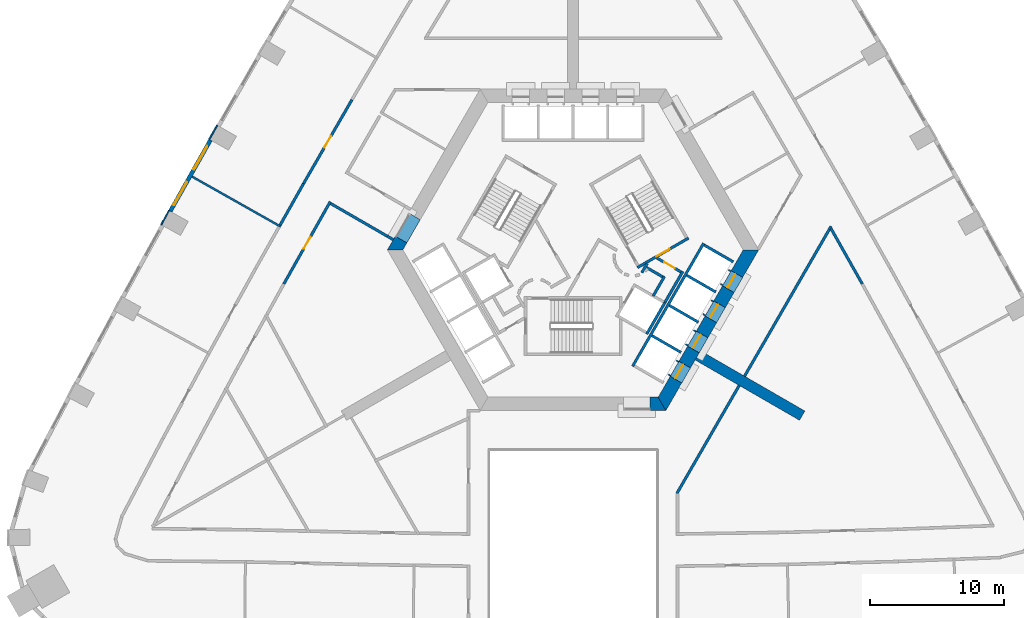
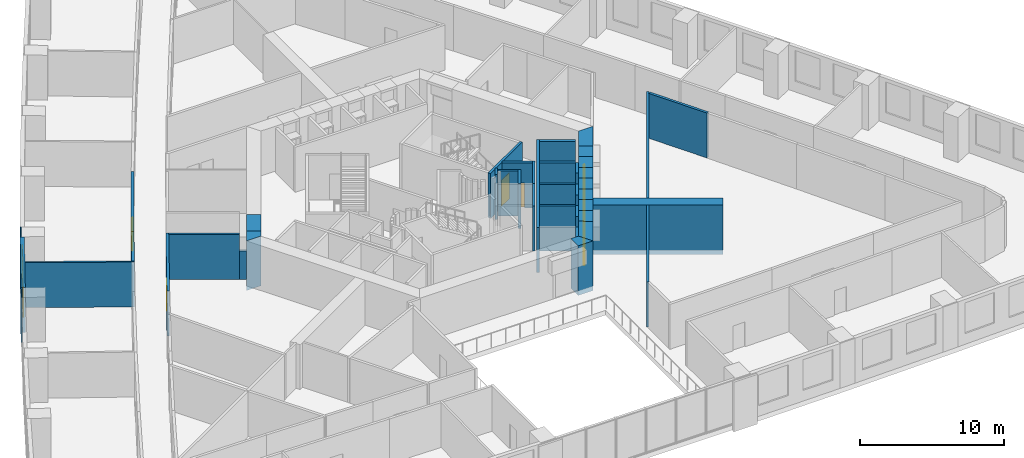
# One storey, part 7 of 13: 41 walls, 8 doors, 2 windows, 10 openings.
"""IFC4 building model written with IfcOpenShell, lengths in metres."""

from ifc_helpers import new_model, si_unit, direction, frame, frame_2d, origin, place, context, subcontext, project, spatial, polyline, rectangle, outline, extrude, material, layer, layer_set, type_object, element, fill, save


model = new_model("IFC4")

# Units and contexts
model_context = context("Model", 3, precision=1e-05, world=origin(), true_north=direction((0.0, 1.0)))
body_context = subcontext(model_context, "Body", "Model", "MODEL_VIEW")
ifc_project = project(units=[si_unit("LENGTHUNIT", "METRE"), si_unit("AREAUNIT", "SQUARE_METRE"), si_unit("VOLUMEUNIT", "CUBIC_METRE"), si_unit("PLANEANGLEUNIT", "RADIAN"), si_unit("MASSUNIT", "GRAM", prefix="KILO")], contexts=[model_context])

# Site, building, storey
site_placement = place(None, origin())
site = spatial("IfcSite", under=ifc_project, at=site_placement, CompositionType="ELEMENT")
building_placement = place(site_placement, origin())
building = spatial("IfcBuilding", under=site, at=building_placement, Name="Entoto Arch Interchange Tower", CompositionType="ELEMENT")
storey_placement = place(building_placement, frame((0.0, 0.0, 51.800048828125)))
storey = spatial("IfcBuildingStorey", under=building, at=storey_placement, Name="L10", CompositionType="ELEMENT", Elevation=51.800048828125)

# Walls
ifc_material_1 = material(Name="Concrete C60/75", Category="concrete")
ifc_layer_1 = layer(ifc_material_1, 0.800048828125)
ifc_layer_set_1 = layer_set([ifc_layer_1], Name="Concrete C60/75")
wall_type_1 = type_object("IfcWallType", Name="Buttress wall 800 C60/75", PredefinedType="SHEAR", material=ifc_layer_set_1)
wall_1_placement = place(storey_placement, frame((9.31005859375, -5.375, -0.400146484375), z_axis=(0.0, 0.0, 1.0), x_axis=(0.866017533419, -0.500013631625, 0.0)))
element("IfcWall", 1, at=wall_1_placement, inside=storey, type_object=wall_type_1, Name="Buttress wall SE L10", PredefinedType="SHEAR", context=body_context, shape_type="SweptSolid", body=[
    extrude(rectangle(XDim=8.999755859375, YDim=0.800048828125, at=frame_2d((4.5, 0.0))), origin(), (0.0, 0.0, 1.0), 4.2001953125),
])
ifc_layer_2 = layer(ifc_material_1, 1.0)
ifc_layer_set_2 = layer_set([ifc_layer_2], Name="Concrete C60/75")
wall_type_2 = type_object("IfcWallType", Name="Core wall 1000 C60/75", PredefinedType="SHEAR", material=ifc_layer_set_2)
wall_2_placement = place(storey_placement, frame((0.0, 0.0, -0.400146484375)))
element("IfcWall", 2, at=wall_2_placement, inside=storey, type_object=wall_type_2, Name="Core wall NW L10", PredefinedType="SHEAR", context=body_context, shape_type="SweptSolid", body=[
    extrude(outline(polyline([(-12.402099609375, 3.02001953125), (-13.26708984375, 3.52001953125), (-13.85595703125, 2.5), (-12.701904296875, 2.5), (-12.402099609375, 3.02001953125)])), origin(), (0.0, 0.0, 1.0), 4.2001953125),
])
wall_3_placement = place(storey_placement, frame((0.0, 0.0, 3.599853515625)))
element("IfcWall", 3, at=wall_3_placement, inside=storey, type_object=wall_type_2, Name="Core wall lintel NW L10", PredefinedType="SHEAR", context=body_context, shape_type="SweptSolid", body=[
    extrude(outline(polyline([(-13.26708984375, 3.52001953125), (-12.402099609375, 3.02001953125), (-11.402099609375, 4.751953125), (-12.26708984375, 5.251953125), (-13.26708984375, 3.52001953125)])), origin(), (0.0, 0.0, 1.0), 0.2001953125),
])
wall_4_placement = place(storey_placement, frame((0.0, 0.0, -0.400146484375)))
element("IfcWall", 4, at=wall_4_placement, inside=storey, type_object=wall_type_2, Name="Core wall S L10", PredefinedType="SHEAR", context=body_context, shape_type="SweptSolid", body=[
    extrude(outline(polyline([(5.75, -8.5), (5.75, -9.5), (6.927978515625, -9.5), (6.35107421875, -8.5), (5.75, -8.5)])), origin(), (0.0, 0.0, 1.0), 4.2001953125),
])
wall_5_placement = place(storey_placement, frame((0.0, 0.0, -0.400146484375)))
element("IfcWall", 5, at=wall_5_placement, inside=storey, type_object=wall_type_2, Name="Core wall SE L10", PredefinedType="SHEAR", context=body_context, shape_type="SweptSolid", body=[
    extrude(outline(polyline([(8.116943359375, -7.43994140625), (7.251953125, -6.93994140625), (6.35107421875, -8.5), (6.927978515625, -9.5), (8.116943359375, -7.43994140625)])), origin(), (0.0, 0.0, 1.0), 4.2001953125),
])
wall_6_placement = place(storey_placement, frame((0.0, 0.0, -0.400146484375)))
element("IfcWall", 6, at=wall_6_placement, inside=storey, type_object=wall_type_2, Name="Core wall SE L10", PredefinedType="SHEAR", context=body_context, shape_type="SweptSolid", body=[
    extrude(outline(polyline([(9.4169921875, -5.18896484375), (8.551025390625, -4.68896484375), (7.902099609375, -5.81396484375), (8.76708984375, -6.31396484375), (9.4169921875, -5.18896484375)])), origin(), (0.0, 0.0, 1.0), 4.2001953125),
])
wall_7_placement = place(storey_placement, frame((0.0, 0.0, -0.400146484375)))
element("IfcWall", 7, at=wall_7_placement, inside=storey, type_object=wall_type_2, Name="Core wall SE L10", PredefinedType="SHEAR", context=body_context, shape_type="SweptSolid", body=[
    extrude(outline(polyline([(10.717041015625, -2.93701171875), (9.85107421875, -2.43701171875), (9.200927734375, -3.56298828125), (10.06689453125, -4.06298828125), (10.717041015625, -2.93701171875)])), origin(), (0.0, 0.0, 1.0), 4.2001953125),
])
wall_8_placement = place(storey_placement, frame((0.0, 0.0, -0.400146484375)))
element("IfcWall", 8, at=wall_8_placement, inside=storey, type_object=wall_type_2, Name="Core wall SE L10", PredefinedType="SHEAR", context=body_context, shape_type="SweptSolid", body=[
    extrude(outline(polyline([(12.01708984375, -0.68603515625), (11.15087890625, -0.18603515625), (10.5009765625, -1.31103515625), (11.366943359375, -1.81103515625), (12.01708984375, -0.68603515625)])), origin(), (0.0, 0.0, 1.0), 4.2001953125),
])
wall_9_placement = place(storey_placement, frame((0.0, 0.0, -0.400146484375)))
element("IfcWall", 9, at=wall_9_placement, inside=storey, type_object=wall_type_2, Name="Core wall SE L10", PredefinedType="SHEAR", context=body_context, shape_type="SweptSolid", body=[
    extrude(outline(polyline([(11.801025390625, 0.93994140625), (12.6669921875, 0.43994140625), (13.85595703125, 2.5), (12.701904296875, 2.5), (11.801025390625, 0.93994140625)])), origin(), (0.0, 0.0, 1.0), 4.2001953125),
])
wall_10_placement = place(storey_placement, frame((0.0, 0.0, 3.599853515625)))
element("IfcWall", 10, at=wall_10_placement, inside=storey, type_object=wall_type_2, Name="Core wall lintel SE L10", PredefinedType="SHEAR", context=body_context, shape_type="SweptSolid", body=[
    extrude(outline(polyline([(8.76708984375, -6.31396484375), (7.902099609375, -5.81396484375), (7.251953125, -6.93994140625), (8.116943359375, -7.43994140625), (8.76708984375, -6.31396484375)])), origin(), (0.0, 0.0, 1.0), 0.2001953125),
])
wall_11_placement = place(storey_placement, frame((0.0, 0.0, 3.599853515625)))
element("IfcWall", 11, at=wall_11_placement, inside=storey, type_object=wall_type_2, Name="Core wall lintel SE L10", PredefinedType="SHEAR", context=body_context, shape_type="SweptSolid", body=[
    extrude(outline(polyline([(10.06689453125, -4.06298828125), (9.200927734375, -3.56298828125), (8.551025390625, -4.68896484375), (9.4169921875, -5.18896484375), (10.06689453125, -4.06298828125)])), origin(), (0.0, 0.0, 1.0), 0.2001953125),
])
wall_12_placement = place(storey_placement, frame((0.0, 0.0, 3.599853515625)))
element("IfcWall", 12, at=wall_12_placement, inside=storey, type_object=wall_type_2, Name="Core wall lintel SE L10", PredefinedType="SHEAR", context=body_context, shape_type="SweptSolid", body=[
    extrude(outline(polyline([(11.366943359375, -1.81103515625), (10.5009765625, -1.31103515625), (9.85107421875, -2.43701171875), (10.717041015625, -2.93701171875), (11.366943359375, -1.81103515625)])), origin(), (0.0, 0.0, 1.0), 0.2001953125),
])
wall_13_placement = place(storey_placement, frame((0.0, 0.0, 3.599853515625)))
element("IfcWall", 13, at=wall_13_placement, inside=storey, type_object=wall_type_2, Name="Core wall lintel SE L10", PredefinedType="SHEAR", context=body_context, shape_type="SweptSolid", body=[
    extrude(outline(polyline([(12.6669921875, 0.43994140625), (11.801025390625, 0.93994140625), (11.15087890625, -0.18603515625), (12.01708984375, -0.68603515625), (12.6669921875, 0.43994140625)])), origin(), (0.0, 0.0, 1.0), 0.2001953125),
])

# Wall, opening, door
ifc_material_2 = material(Name="Concrete C40/50", Category="concrete")
ifc_layer_3 = layer(ifc_material_2, 1.199951171875)
ifc_layer_set_3 = layer_set([ifc_layer_3], Name="Concrete C40/50")
wall_type_3 = type_object("IfcWallType", Name="LIFT LANDING INFILL WALL", PredefinedType="STANDARD", material=ifc_layer_set_3)
wall_14_placement = place(storey_placement, frame((7.597900390625, -7.139892578125, 0.0), z_axis=(0.0, 0.0, 1.0), x_axis=(0.500362116554, 0.865816234728, 0.0)))
wall_14 = element("IfcWall", 14, at=wall_14_placement, inside=storey, type_object=wall_type_3, Name="Lift landing infill wall LR5 L10", PredefinedType="STANDARD", context=body_context, shape_type="SweptSolid", body=[
    extrude(rectangle(XDim=1.29931640625, YDim=1.199951171875, at=frame_2d((0.649658203125, 0.0))), origin(), (0.0, 0.0, 1.0), 2.39990234375),
])
opening_1_placement = place(wall_14_placement, frame((0.10009765625, 0.0, 0.0)))
opening_1 = element("IfcOpeningElement", 15, at=opening_1_placement, cuts=wall_14, Name="Opening LD-LR5-L10", PredefinedType="OPENING", context=body_context, shape_type="SweptSolid", body=[
    extrude(rectangle(XDim=1.10009765625, YDim=2.300048828125, at=frame_2d((0.550048828125, 1.14990234375))), frame((0.0, 0.60986328125, 0.0), z_axis=(0.0, -1.0, 0.0), x_axis=(1.0, 0.0, 0.0)), (0.0, 0.0, 1.0), 1.219970703125),
])
ifc_material_3 = material(Name="Stainless steel 1.4301 panels", Category="steel")
door_type_1 = type_object("IfcDoorType", Name="LIFT LANDING DOOR LD2 1100x2300", OperationType="SLIDING_TO_LEFT", PredefinedType="DOOR", material=ifc_material_3)
door_1_placement = place(opening_1_placement, origin())
door_1 = element("IfcDoor", 16, at=door_1_placement, inside=storey, type_object=door_type_1, Name="Lift landing door LR5 L10", OperationType="SLIDING_TO_LEFT", OverallHeight=2.300048828125, OverallWidth=1.10009765625, PredefinedType="DOOR", context=body_context, shape_type="SweptSolid", body=[
    extrude(rectangle(XDim=1.10009765625, YDim=2.300048828125, at=frame_2d((0.550048828125, 1.14990234375))), frame((0.0, 0.02490234375, 0.0), z_axis=(0.0, -1.0, 0.0), x_axis=(1.0, 0.0, 0.0)), (0.0, 0.0, 1.0), 0.050048828125),
])
fill(opening_1, door_1)

wall_15_placement = place(storey_placement, frame((8.89794921875, -4.888916015625, 0.0), z_axis=(0.0, 0.0, 1.0), x_axis=(0.500036693733, 0.866004217611, 0.0)))
wall_15 = element("IfcWall", 17, at=wall_15_placement, inside=storey, type_object=wall_type_3, Name="Lift landing infill wall LR6 L10", PredefinedType="STANDARD", context=body_context, shape_type="SweptSolid", body=[
    extrude(rectangle(XDim=1.30029296875, YDim=1.199951171875, at=frame_2d((0.650146484375, 0.0))), origin(), (0.0, 0.0, 1.0), 2.39990234375),
])
opening_2_placement = place(wall_15_placement, frame((0.10009765625, 0.0, 0.0)))
opening_2 = element("IfcOpeningElement", 18, at=opening_2_placement, cuts=wall_15, Name="Opening LD-LR6-L10", PredefinedType="OPENING", context=body_context, shape_type="SweptSolid", body=[
    extrude(rectangle(XDim=1.10009765625, YDim=2.300048828125, at=frame_2d((0.550048828125, 1.14990234375))), frame((0.0, 0.60986328125, 0.0), z_axis=(0.0, -1.0, 0.0), x_axis=(1.0, 0.0, 0.0)), (0.0, 0.0, 1.0), 1.219970703125),
])
door_2_placement = place(opening_2_placement, origin())
door_2 = element("IfcDoor", 19, at=door_2_placement, inside=storey, type_object=door_type_1, Name="Lift landing door LR6 L10", OperationType="SLIDING_TO_LEFT", OverallHeight=2.300048828125, OverallWidth=1.10009765625, PredefinedType="DOOR", context=body_context, shape_type="SweptSolid", body=[
    extrude(rectangle(XDim=1.10009765625, YDim=2.300048828125, at=frame_2d((0.550048828125, 1.14990234375))), frame((0.0, 0.02490234375, 0.0), z_axis=(0.0, -1.0, 0.0), x_axis=(1.0, 0.0, 0.0)), (0.0, 0.0, 1.0), 0.050048828125),
])
fill(opening_2, door_2)

wall_16_placement = place(storey_placement, frame((10.197998046875, -2.636962890625, 0.0), z_axis=(0.0, 0.0, 1.0), x_axis=(0.49989585183, 0.866085525409, 0.0)))
wall_16 = element("IfcWall", 20, at=wall_16_placement, inside=storey, type_object=wall_type_3, Name="Lift landing infill wall LR7 L10", PredefinedType="STANDARD", context=body_context, shape_type="SweptSolid", body=[
    extrude(rectangle(XDim=1.300048828125, YDim=1.199951171875, at=frame_2d((0.64990234375, 0.0))), origin(), (0.0, 0.0, 1.0), 2.39990234375),
])
opening_3_placement = place(wall_16_placement, frame((0.10009765625, 0.0, 0.0)))
opening_3 = element("IfcOpeningElement", 21, at=opening_3_placement, cuts=wall_16, Name="Opening LD-LR7-L10", PredefinedType="OPENING", context=body_context, shape_type="SweptSolid", body=[
    extrude(rectangle(XDim=1.10009765625, YDim=2.300048828125, at=frame_2d((0.550048828125, 1.14990234375))), frame((0.0, 0.60986328125, 0.0), z_axis=(0.0, -1.0, 0.0), x_axis=(1.0, 0.0, 0.0)), (0.0, 0.0, 1.0), 1.219970703125),
])
door_3_placement = place(opening_3_placement, origin())
door_3 = element("IfcDoor", 22, at=door_3_placement, inside=storey, type_object=door_type_1, Name="Lift landing door LR7 L10", OperationType="SLIDING_TO_LEFT", OverallHeight=2.300048828125, OverallWidth=1.10009765625, PredefinedType="DOOR", context=body_context, shape_type="SweptSolid", body=[
    extrude(rectangle(XDim=1.10009765625, YDim=2.300048828125, at=frame_2d((0.550048828125, 1.14990234375))), frame((0.0, 0.02490234375, 0.0), z_axis=(0.0, -1.0, 0.0), x_axis=(1.0, 0.0, 0.0)), (0.0, 0.0, 1.0), 0.050048828125),
])
fill(opening_3, door_3)

wall_17_placement = place(storey_placement, frame((11.498046875, -0.385009765625, 0.0), z_axis=(0.0, 0.0, 1.0), x_axis=(0.500221244143, 0.865897630733, 0.0)))
wall_17 = element("IfcWall", 23, at=wall_17_placement, inside=storey, type_object=wall_type_3, Name="Lift landing infill wall LR8 L10", PredefinedType="STANDARD", context=body_context, shape_type="SweptSolid", body=[
    extrude(rectangle(XDim=1.29931640625, YDim=1.199951171875, at=frame_2d((0.649658203125, 0.0))), origin(), (0.0, 0.0, 1.0), 2.39990234375),
])
opening_4_placement = place(wall_17_placement, frame((0.10009765625, 0.0, 0.0)))
opening_4 = element("IfcOpeningElement", 24, at=opening_4_placement, cuts=wall_17, Name="Opening LD-LR8-L10", PredefinedType="OPENING", context=body_context, shape_type="SweptSolid", body=[
    extrude(rectangle(XDim=1.10009765625, YDim=2.300048828125, at=frame_2d((0.550048828125, 1.14990234375))), frame((0.0, 0.60986328125, 0.0), z_axis=(0.0, -1.0, 0.0), x_axis=(1.0, 0.0, 0.0)), (0.0, 0.0, 1.0), 1.219970703125),
])
door_4_placement = place(opening_4_placement, origin())
door_4 = element("IfcDoor", 25, at=door_4_placement, inside=storey, type_object=door_type_1, Name="Lift landing door LR8 L10", OperationType="SLIDING_TO_LEFT", OverallHeight=2.300048828125, OverallWidth=1.10009765625, PredefinedType="DOOR", context=body_context, shape_type="SweptSolid", body=[
    extrude(rectangle(XDim=1.10009765625, YDim=2.300048828125, at=frame_2d((0.550048828125, 1.14990234375))), frame((0.0, 0.02490234375, 0.0), z_axis=(0.0, -1.0, 0.0), x_axis=(1.0, 0.0, 0.0)), (0.0, 0.0, 1.0), 0.050048828125),
])
fill(opening_4, door_4)

# Walls
ifc_layer_4 = layer(ifc_material_2, 0.199951171875)
ifc_layer_set_4 = layer_set([ifc_layer_4], Name="Concrete C40/50")
wall_type_4 = type_object("IfcWallType", Name="LIFT SHAFT WALL 200", PredefinedType="STANDARD", material=ifc_layer_set_4)
wall_18_placement = place(storey_placement, frame((5.491943359375, -3.7880859375, 0.0), z_axis=(0.0, 0.0, 1.0), x_axis=(0.500011755427, 0.866018616679, 0.0)))
element("IfcWall", 26, at=wall_18_placement, inside=storey, type_object=wall_type_4, Name="Shaft wall SE1 back", PredefinedType="STANDARD", context=body_context, shape_type="SweptSolid", body=[
    extrude(rectangle(XDim=2.80029296875, YDim=0.199951171875, at=frame_2d((1.400146484375, 0.0))), origin(), (0.0, 0.0, 1.0), 3.800048828125),
])
wall_19_placement = place(storey_placement, frame((4.450927734375, -6.18994140625, 0.0), z_axis=(0.0, 0.0, 1.0), x_axis=(0.50000090737, 0.866024879913, 0.0)))
element("IfcWall", 27, at=wall_19_placement, inside=storey, type_object=wall_type_4, Name="Shaft wall SE3 front", PredefinedType="STANDARD", context=body_context, shape_type="SweptSolid", body=[
    extrude(rectangle(XDim=10.60009765625, YDim=0.199951171875, at=frame_2d((5.300048828125, 0.0))), origin(), (0.0, 0.0, 1.0), 3.800048828125),
])
for number, where, z_axis, x_axis, name in (
    (28, (5.887939453125, -3.902099609375, 0.0), (0.0, 0.0, 1.0), (0.866022959057, -0.500004234368, 0.0), "Shaft wall SE3 cross 2"),
    (29, (7.18798828125, -1.64990234375, 0.0), (0.0, 0.0, 1.0), (0.866022959057, -0.500004234368, 0.0), "Shaft wall SE3 cross 3"),
    (30, (8.488037109375, 0.60205078125, 0.0), (0.0, 0.0, 1.0), (0.866022959057, -0.500004234368, 0.0), "Shaft wall SE3 cross 4"),
):
    element("IfcWall", number, at=place(storey_placement, frame(where, z_axis=z_axis, x_axis=x_axis)), inside=storey, type_object=wall_type_4, Name=name, PredefinedType="STANDARD", context=body_context, shape_type="SweptSolid", body=[
        extrude(rectangle(XDim=2.5, YDim=0.199951171875, at=frame_2d((1.25, 0.0))), origin(), (0.0, 0.0, 1.0), 3.800048828125),
    ])
wall_20_placement = place(storey_placement, frame((9.7880859375, 2.85302734375, 0.0), z_axis=(0.0, 0.0, 1.0), x_axis=(0.865998541277, -0.500046524342, 0.0)))
element("IfcWall", 31, at=wall_20_placement, inside=storey, type_object=wall_type_4, Name="Shaft wall SE3 cross 5", PredefinedType="STANDARD", context=body_context, shape_type="SweptSolid", body=[
    extrude(rectangle(XDim=2.499755859375, YDim=0.199951171875, at=frame_2d((1.25, 0.0))), origin(), (0.0, 0.0, 1.0), 3.800048828125),
])
ifc_material_4 = material(Name="Gypsum board partition on steel studs", Category="steel")
ifc_layer_5 = layer(ifc_material_4, 0.14990234375)
ifc_layer_set_5 = layer_set([ifc_layer_5], Name="Gypsum board partition on steel studs")
wall_type_5 = type_object("IfcWallType", Name="PARTITION 150", PredefinedType="PARTITIONING", material=ifc_layer_set_5)
wall_21_placement = place(storey_placement, frame((-21.81298828125, 4.23095703125, 0.0), z_axis=(0.0, 0.0, 1.0), x_axis=(-0.870901264369, 0.491458022337, 0.0)))
element("IfcWall", 32, at=wall_21_placement, inside=storey, type_object=wall_type_5, Name="wall:L10:p142", PredefinedType="PARTITIONING", context=body_context, shape_type="SweptSolid", body=[
    extrude(rectangle(XDim=7.60009765625, YDim=0.14990234375, at=frame_2d((3.800048828125, 0.0))), origin(), (0.0, 0.0, 1.0), 3.800048828125),
])
ifc_layer_6 = layer(ifc_material_4, 0.199951171875)
ifc_layer_set_6 = layer_set([ifc_layer_6], Name="Gypsum board partition on steel studs")
wall_type_6 = type_object("IfcWallType", Name="PARTITION 200", PredefinedType="PARTITIONING", material=ifc_layer_set_6)
wall_22_placement = place(storey_placement, frame((21.5849609375, -0.044921875, 0.0), z_axis=(0.0, 0.0, 1.0), x_axis=(-0.491542684896, 0.870853483042, 0.0)))
element("IfcWall", 33, at=wall_22_placement, inside=storey, type_object=wall_type_6, Name="wall:L10:p024", PredefinedType="PARTITIONING", context=body_context, shape_type="SweptSolid", body=[
    extrude(rectangle(XDim=4.73779296875, YDim=0.199951171875, at=frame_2d((2.368896484375, 0.0))), origin(), (0.0, 0.0, 1.0), 3.800048828125),
])
wall_23_placement = place(storey_placement, frame((-13.4169921875, 3.260009765625, 0.0), z_axis=(0.0, 0.0, 1.0), x_axis=(-0.866071776036, 0.499919672301, 0.0)))
element("IfcWall", 34, at=wall_23_placement, inside=storey, type_object=wall_type_6, Name="wall:L10:p025", PredefinedType="PARTITIONING", context=body_context, shape_type="SweptSolid", body=[
    extrude(rectangle(XDim=0.5, YDim=0.199951171875, at=frame_2d((0.25, 0.0))), origin(), (0.0, 0.0, 1.0), 2.39990234375),
])

# Wall, opening, door
wall_24_placement = place(storey_placement, frame((-18.1220703125, 6.092041015625, 0.0), z_axis=(0.0, 0.0, 1.0), x_axis=(-0.491430359405, -0.870916874251, 0.0)))
wall_24 = element("IfcWall", 35, at=wall_24_placement, inside=storey, type_object=wall_type_6, Name="wall:L10:p026", PredefinedType="PARTITIONING", context=body_context, shape_type="SweptSolid", body=[
    extrude(rectangle(XDim=7.046630859375, YDim=0.199951171875, at=frame_2d((3.5234375, 0.0))), origin(), (0.0, 0.0, 1.0), 3.800048828125),
])
opening_5_placement = place(wall_24_placement, frame((3.02392578125, 0.0, 0.0)))
opening_5 = element("IfcOpeningElement", 36, at=opening_5_placement, cuts=wall_24, Name="Opening L10-D21", PredefinedType="OPENING", context=body_context, shape_type="SweptSolid", body=[
    extrude(rectangle(XDim=1.0, YDim=2.10009765625, at=frame_2d((0.5, 1.050048828125))), frame((0.0, 0.10986328125, 0.0), z_axis=(0.0, -1.0, 0.0), x_axis=(1.0, 0.0, 0.0)), (0.0, 0.0, 1.0), 0.219970703125),
])
ifc_material_5 = material(Name="Timber door leaf in Steel S235 frame", Category="steel")
door_type_2 = type_object("IfcDoorType", Name="DOOR DS-10 1000x2100", OperationType="SINGLE_SWING_LEFT", PredefinedType="DOOR", material=ifc_material_5)
door_5_placement = place(opening_5_placement, origin())
door_5 = element("IfcDoor", 37, at=door_5_placement, inside=storey, type_object=door_type_2, Name="door:L10:21", OperationType="SINGLE_SWING_LEFT", OverallHeight=2.10009765625, OverallWidth=1.0, PredefinedType="DOOR", context=body_context, shape_type="SweptSolid", body=[
    extrude(rectangle(XDim=1.0, YDim=2.10009765625, at=frame_2d((0.5, 1.050048828125))), frame((0.0, 0.02490234375, 0.0), z_axis=(0.0, -1.0, 0.0), x_axis=(1.0, 0.0, 0.0)), (0.0, 0.0, 1.0), 0.050048828125),
])
fill(opening_5, door_5)

# Wall
wall_25_placement = place(storey_placement, frame((-21.863037109375, 4.344970703125, 0.0), z_axis=(0.0, 0.0, 1.0), x_axis=(0.491394823876, 0.87093692485, 0.0)))
element("IfcWall", 38, at=wall_25_placement, inside=storey, type_object=wall_type_6, Name="wall:L10:p064", PredefinedType="PARTITIONING", context=body_context, shape_type="SweptSolid", body=[
    extrude(rectangle(XDim=3.546875, YDim=0.199951171875, at=frame_2d((1.7734375, 0.0))), origin(), (0.0, 0.0, 1.0), 3.800048828125),
])

# Wall, opening, door
wall_26_placement = place(storey_placement, frame((-20.1201171875, 7.43408203125, 0.0), z_axis=(0.0, 0.0, 1.0), x_axis=(0.500039488902, 0.866002603656, 0.0)))
wall_26 = element("IfcWall", 39, at=wall_26_placement, inside=storey, type_object=wall_type_6, Name="wall:L10:p065", PredefinedType="PARTITIONING", context=body_context, shape_type="SweptSolid", body=[
    extrude(rectangle(XDim=7.24365234375, YDim=0.199951171875, at=frame_2d((3.621826171875, 0.0))), origin(), (0.0, 0.0, 1.0), 3.800048828125),
])
opening_6_placement = place(wall_26_placement, frame((3.1220703125, 0.0, 0.0)))
opening_6 = element("IfcOpeningElement", 40, at=opening_6_placement, cuts=wall_26, Name="Opening L10-D11", PredefinedType="OPENING", context=body_context, shape_type="SweptSolid", body=[
    extrude(rectangle(XDim=1.0, YDim=2.10009765625, at=frame_2d((0.5, 1.050048828125))), frame((0.0, 0.10986328125, 0.0), z_axis=(0.0, -1.0, 0.0), x_axis=(1.0, 0.0, 0.0)), (0.0, 0.0, 1.0), 0.219970703125),
])
door_6_placement = place(opening_6_placement, origin())
door_6 = element("IfcDoor", 41, at=door_6_placement, inside=storey, type_object=door_type_2, Name="door:L10:11", OperationType="SINGLE_SWING_LEFT", OverallHeight=2.10009765625, OverallWidth=1.0, PredefinedType="DOOR", context=body_context, shape_type="SweptSolid", body=[
    extrude(rectangle(XDim=1.0, YDim=2.10009765625, at=frame_2d((0.5, 1.050048828125))), frame((0.0, 0.02490234375, 0.0), z_axis=(0.0, -1.0, 0.0), x_axis=(1.0, 0.0, 0.0)), (0.0, 0.0, 1.0), 0.050048828125),
])
fill(opening_6, door_6)

# Walls
wall_27_placement = place(storey_placement, frame((5.4990234375, 1.172119140625, 0.0), z_axis=(0.0, 0.0, 1.0), x_axis=(0.866333505267, -0.499465972466, 0.0)))
element("IfcWall", 42, at=wall_27_placement, inside=storey, type_object=wall_type_6, Name="wall:L10:p080", PredefinedType="PARTITIONING", context=body_context, shape_type="SweptSolid", body=[
    extrude(rectangle(XDim=1.37353515625, YDim=0.199951171875, at=frame_2d((0.686767578125, 0.0))), origin(), (0.0, 0.0, 1.0), 3.800048828125),
])
wall_28_placement = place(storey_placement, frame((6.825927734375, 0.52197265625, 0.0), z_axis=(0.0, 0.0, 1.0), x_axis=(-0.500016722714, -0.866015748706, 0.0)))
element("IfcWall", 43, at=wall_28_placement, inside=storey, type_object=wall_type_6, Name="wall:L10:p081", PredefinedType="PARTITIONING", context=body_context, shape_type="SweptSolid", body=[
    extrude(rectangle(XDim=1.69970703125, YDim=0.199951171875, at=frame_2d((0.849853515625, 0.0))), origin(), (0.0, 0.0, 1.0), 3.800048828125),
])

# Wall, opening, door
wall_29_placement = place(storey_placement, frame((6.25, 1.89404296875, 0.0), z_axis=(0.0, 0.0, 1.0), x_axis=(0.866043184279, -0.499969202016, 0.0)))
wall_29 = element("IfcWall", 44, at=wall_29_placement, inside=storey, type_object=wall_type_6, Name="wall:L10:p082", PredefinedType="PARTITIONING", context=body_context, shape_type="SweptSolid", body=[
    extrude(rectangle(XDim=2.084228515625, YDim=0.199951171875, at=frame_2d((1.0419921875, 0.0))), origin(), (0.0, 0.0, 1.0), 3.800048828125),
])
opening_7_placement = place(wall_29_placement, frame((0.64208984375, 0.0, 0.0)))
opening_7 = element("IfcOpeningElement", 45, at=opening_7_placement, cuts=wall_29, Name="Opening L10-D33", PredefinedType="OPENING", context=body_context, shape_type="SweptSolid", body=[
    extrude(rectangle(XDim=0.89990234375, YDim=2.10009765625, at=frame_2d((0.449951171875, 1.050048828125))), frame((0.0, 0.10986328125, 0.0), z_axis=(0.0, -1.0, 0.0), x_axis=(1.0, 0.0, 0.0)), (0.0, 0.0, 1.0), 0.219970703125),
])
door_type_3 = type_object("IfcDoorType", Name="DOOR DS-09 900x2100", OperationType="SINGLE_SWING_LEFT", PredefinedType="DOOR", material=ifc_material_5)
door_7_placement = place(opening_7_placement, origin())
door_7 = element("IfcDoor", 46, at=door_7_placement, inside=storey, type_object=door_type_3, Name="door:L10:33", OperationType="SINGLE_SWING_LEFT", OverallHeight=2.10009765625, OverallWidth=0.89990234375, PredefinedType="DOOR", context=body_context, shape_type="SweptSolid", body=[
    extrude(rectangle(XDim=0.89990234375, YDim=2.10009765625, at=frame_2d((0.449951171875, 1.050048828125))), frame((0.0, 0.02490234375, 0.0), z_axis=(0.0, -1.0, 0.0), x_axis=(1.0, 0.0, 0.0)), (0.0, 0.0, 1.0), 0.050048828125),
])
fill(opening_7, door_7)

# Walls
wall_30_placement = place(storey_placement, frame((8.19189453125, 0.887939453125, 0.0), z_axis=(0.0, 0.0, 1.0), x_axis=(-0.499940625693, -0.866059680843, 0.0)))
element("IfcWall", 47, at=wall_30_placement, inside=storey, type_object=wall_type_6, Name="wall:L10:p083", PredefinedType="PARTITIONING", context=body_context, shape_type="SweptSolid", body=[
    extrude(rectangle(XDim=2.679931640625, YDim=0.199951171875, at=frame_2d((1.33984375, 0.0))), origin(), (0.0, 0.0, 1.0), 3.800048828125),
])
wall_31_placement = place(storey_placement, frame((5.135009765625, 0.79296875, 0.0), z_axis=(0.0, 0.0, 1.0), x_axis=(0.499526442893, 0.866298639529, 0.0)))
element("IfcWall", 48, at=wall_31_placement, inside=storey, type_object=wall_type_6, Name="wall:L10:p084", PredefinedType="PARTITIONING", context=body_context, shape_type="SweptSolid", body=[
    extrude(rectangle(XDim=0.790771484375, YDim=0.199951171875, at=frame_2d((0.3955078125, 0.0))), origin(), (0.0, 0.0, 1.0), 3.800048828125),
])
wall_32_placement = place(storey_placement, frame((19.257080078125, 4.2548828125, 0.0), z_axis=(0.0, 0.0, 1.0), x_axis=(-0.499978317034, -0.866037922089, 0.0)))
element("IfcWall", 49, at=wall_32_placement, inside=storey, type_object=wall_type_6, Name="wall:L10:p118", PredefinedType="PARTITIONING", context=body_context, shape_type="SweptSolid", body=[
    extrude(rectangle(XDim=12.91259765625, YDim=0.199951171875, at=frame_2d((6.456298828125, 0.0))), origin(), (0.0, 0.0, 1.0), 3.800048828125),
])
wall_33_placement = place(storey_placement, frame((12.40087890625, -7.62109375, 0.0), z_axis=(0.0, 0.0, 1.0), x_axis=(-0.499983724212, -0.866034800411, 0.0)))
element("IfcWall", 50, at=wall_33_placement, inside=storey, type_object=wall_type_6, Name="wall:L10:p118", PredefinedType="PARTITIONING", context=body_context, shape_type="SweptSolid", body=[
    extrude(rectangle(XDim=9.302001953125, YDim=0.199951171875, at=frame_2d((4.65087890625, 0.0))), origin(), (0.0, 0.0, 1.0), 3.800048828125),
])
wall_34_placement = place(storey_placement, frame((-13.85009765625, 3.510009765625, 0.0), z_axis=(0.0, 0.0, 1.0), x_axis=(-0.865969361037, 0.500097056325, 0.0)))
element("IfcWall", 51, at=wall_34_placement, inside=storey, type_object=wall_type_6, Name="wall:L10:p025", PredefinedType="PARTITIONING", context=body_context, shape_type="SweptSolid", body=[
    extrude(rectangle(XDim=4.88916015625, YDim=0.199951171875, at=frame_2d((2.444580078125, 0.0))), origin(), (0.0, 0.0, 1.0), 3.800048828125),
])

# Wall, opening, door
ifc_layer_7 = layer(ifc_material_2, 0.199951171875)
ifc_layer_set_7 = layer_set([ifc_layer_7], Name="Concrete C40/50")
wall_type_7 = type_object("IfcWallType", Name="STAIR ENCLOSURE WALL 200", PredefinedType="STANDARD", material=ifc_layer_set_7)
wall_35_placement = place(storey_placement, frame((4.805908203125, 1.176025390625, 0.0), z_axis=(0.0, 0.0, 1.0), x_axis=(0.866059941101, 0.499940174841, 0.0)))
wall_35 = element("IfcWall", 52, at=wall_35_placement, inside=storey, type_object=wall_type_7, Name="Stair wall ST-NE near", PredefinedType="STANDARD", context=body_context, shape_type="SweptSolid", body=[
    extrude(rectangle(XDim=4.400390625, YDim=0.199951171875, at=frame_2d((2.2001953125, 0.0))), origin(), (0.0, 0.0, 1.0), 3.800048828125),
])
opening_8_placement = place(wall_35_placement, frame((1.64990234375, 0.0, 0.0)))
opening_8 = element("IfcOpeningElement", 53, at=opening_8_placement, cuts=wall_35, Name="Opening SD-ST-NE-L10-E", PredefinedType="OPENING", context=body_context, shape_type="SweptSolid", body=[
    extrude(rectangle(XDim=1.10009765625, YDim=2.199951171875, at=frame_2d((0.550048828125, 1.10009765625))), frame((0.0, 0.10986328125, 0.0), z_axis=(0.0, -1.0, 0.0), x_axis=(1.0, 0.0, 0.0)), (0.0, 0.0, 1.0), 0.219970703125),
])
ifc_material_6 = material(Name="Steel S235", Category="steel")
door_type_4 = type_object("IfcDoorType", Name="STAIR DOOR SD1 1100x2200", OperationType="SINGLE_SWING_LEFT", PredefinedType="DOOR", material=ifc_material_6)
door_8_placement = place(opening_8_placement, origin())
door_8 = element("IfcDoor", 54, at=door_8_placement, inside=storey, type_object=door_type_4, Name="Stair door ST-NE L10 end", OperationType="SINGLE_SWING_LEFT", OverallHeight=2.199951171875, OverallWidth=1.10009765625, PredefinedType="DOOR", context=body_context, shape_type="SweptSolid", body=[
    extrude(rectangle(XDim=1.10009765625, YDim=2.199951171875, at=frame_2d((0.550048828125, 1.10009765625))), frame((0.0, 0.02490234375, 0.0), z_axis=(0.0, -1.0, 0.0), x_axis=(1.0, 0.0, 0.0)), (0.0, 0.0, 1.0), 0.050048828125),
])
fill(opening_8, door_8)

# Wall, openings, windows
ifc_material_7 = material(Name="Welded tuff (ignimbrite) cladding, warm buff", Category="masonry")
ifc_layer_8 = layer(ifc_material_7, 0.300048828125)
ifc_layer_set_8 = layer_set([ifc_layer_8], Name="Welded tuff (ignimbrite) cladding, warm buff")
wall_type_8 = type_object("IfcWallType", Name="STONE INFILL WALL 300", PredefinedType="STANDARD", material=ifc_layer_set_8)
wall_36_placement = place(storey_placement, frame((-27.05810546875, 10.705078125, 0.0), z_axis=(0.0, 0.0, 1.0), x_axis=(-0.49151046248, -0.870871669807, 0.0)))
wall_36 = element("IfcWall", 55, at=wall_36_placement, inside=storey, type_object=wall_type_8, Name="Facade wall NW-06 L10", PredefinedType="STANDARD", context=body_context, shape_type="SweptSolid", body=[
    extrude(rectangle(XDim=6.12158203125, YDim=0.300048828125, at=frame_2d((3.060791015625, 0.0))), origin(), (0.0, 0.0, 1.0), 3.800048828125),
])
opening_9_placement = place(wall_36_placement, frame((0.530029296875, 0.0, 0.89990234375)))
opening_9 = element("IfcOpeningElement", 56, at=opening_9_placement, cuts=wall_36, Name="Opening WO-C", PredefinedType="OPENING", context=body_context, shape_type="SweptSolid", body=[
    extrude(rectangle(XDim=2.0, YDim=2.60009765625, at=frame_2d((1.0, 1.300048828125))), frame((0.0, 0.16015625, 0.0), z_axis=(0.0, -1.0, 0.0), x_axis=(1.0, 0.0, 0.0)), (0.0, 0.0, 1.0), 0.320068359375),
])
opening_10_placement = place(wall_36_placement, frame((3.591064453125, 0.0, 0.89990234375)))
opening_10 = element("IfcOpeningElement", 57, at=opening_10_placement, cuts=wall_36, Name="Opening WO-C", PredefinedType="OPENING", context=body_context, shape_type="SweptSolid", body=[
    extrude(rectangle(XDim=2.0, YDim=2.60009765625, at=frame_2d((1.0, 1.300048828125))), frame((0.0, 0.16015625, 0.0), z_axis=(0.0, -1.0, 0.0), x_axis=(1.0, 0.0, 0.0)), (0.0, 0.0, 1.0), 0.320068359375),
])
ifc_material_8 = material(Name="Clear glass, low-e double glazed", Category="glass")
window_type = type_object("IfcWindowType", Name="WINDOW WO-C 2000x2600", PartitioningType="DOUBLE_PANEL_VERTICAL", PredefinedType="WINDOW", material=ifc_material_8)
window_1_placement = place(opening_9_placement, origin())
window_1 = element("IfcWindow", 58, at=window_1_placement, inside=storey, type_object=window_type, Name="Window WO-C NW-06 L10", OverallHeight=2.60009765625, OverallWidth=2.0, PartitioningType="SINGLE_PANEL", PredefinedType="WINDOW", context=body_context, shape_type="SweptSolid", body=[
    extrude(rectangle(XDim=2.0, YDim=2.60009765625, at=frame_2d((1.0, 1.300048828125))), frame((0.0, 0.030029296875, 0.0), z_axis=(0.0, -1.0, 0.0), x_axis=(1.0, 0.0, 0.0)), (0.0, 0.0, 1.0), 0.06005859375),
])
fill(opening_9, window_1)
window_2_placement = place(opening_10_placement, origin())
window_2 = element("IfcWindow", 59, at=window_2_placement, inside=storey, type_object=window_type, Name="Window WO-C NW-06 L10", OverallHeight=2.60009765625, OverallWidth=2.0, PartitioningType="SINGLE_PANEL", PredefinedType="WINDOW", context=body_context, shape_type="SweptSolid", body=[
    extrude(rectangle(XDim=2.0, YDim=2.60009765625, at=frame_2d((1.0, 1.300048828125))), frame((0.0, 0.030029296875, 0.0), z_axis=(0.0, -1.0, 0.0), x_axis=(1.0, 0.0, 0.0)), (0.0, 0.0, 1.0), 0.06005859375),
])
fill(opening_10, window_2)

# Walls
ifc_layer_9 = layer(ifc_material_7, 0.10009765625)
ifc_layer_set_9 = layer_set([ifc_layer_9], Name="Welded tuff (ignimbrite) cladding, warm buff")
wall_type_9 = type_object("IfcWallType", Name="STONE PIER CLADDING 100", PredefinedType="STANDARD", material=ifc_layer_set_9)
wall_37_placement = place(storey_placement, frame((-26.552978515625, 11.797119140625, 0.0), z_axis=(0.0, 0.0, 1.0), x_axis=(-0.495766453659, -0.86845588456, 0.0)))
element("IfcWall", 60, at=wall_37_placement, inside=storey, type_object=wall_type_9, Name="Stone pier NW06 L10", PredefinedType="STANDARD", context=body_context, shape_type="SweptSolid", body=[
    extrude(rectangle(XDim=1.2001953125, YDim=0.10009765625, at=frame_2d((0.60009765625, 0.0))), origin(), (0.0, 0.0, 1.0), 3.800048828125),
])
wall_38_placement = place(storey_placement, frame((-30.156005859375, 5.425048828125, 0.0), z_axis=(0.0, 0.0, 1.0), x_axis=(-0.486730996044, -0.87355190887, 0.0)))
element("IfcWall", 61, at=wall_38_placement, inside=storey, type_object=wall_type_9, Name="Stone pier NW07 L10", PredefinedType="STANDARD", context=body_context, shape_type="SweptSolid", body=[
    extrude(rectangle(XDim=1.19970703125, YDim=0.10009765625, at=frame_2d((0.599853515625, 0.0))), origin(), (0.0, 0.0, 1.0), 3.800048828125),
])

save(model, "model.ifc")
